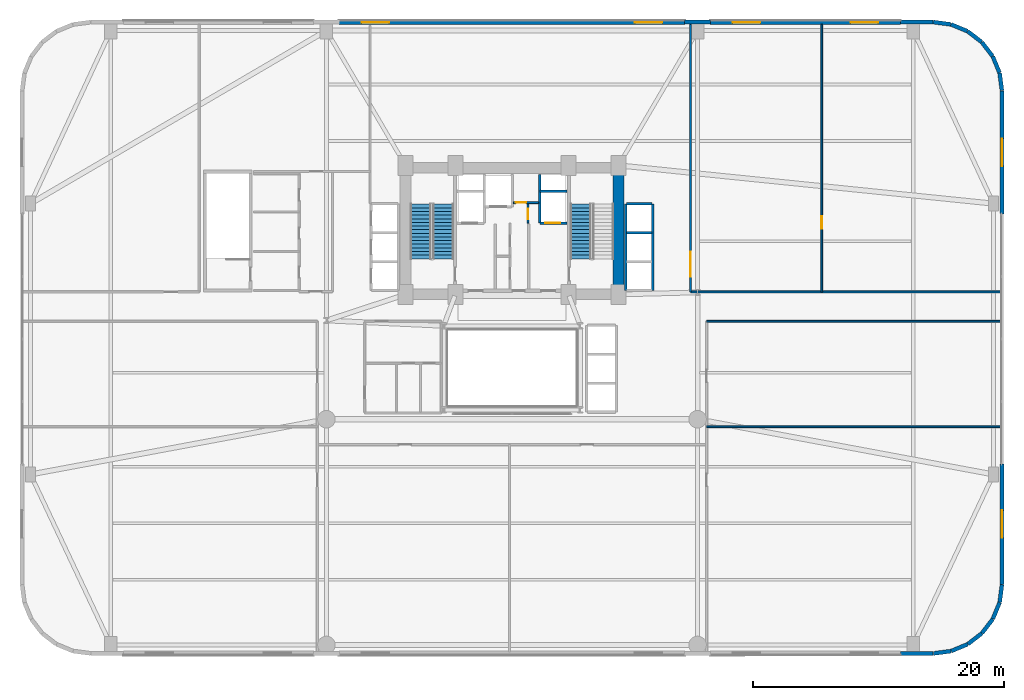
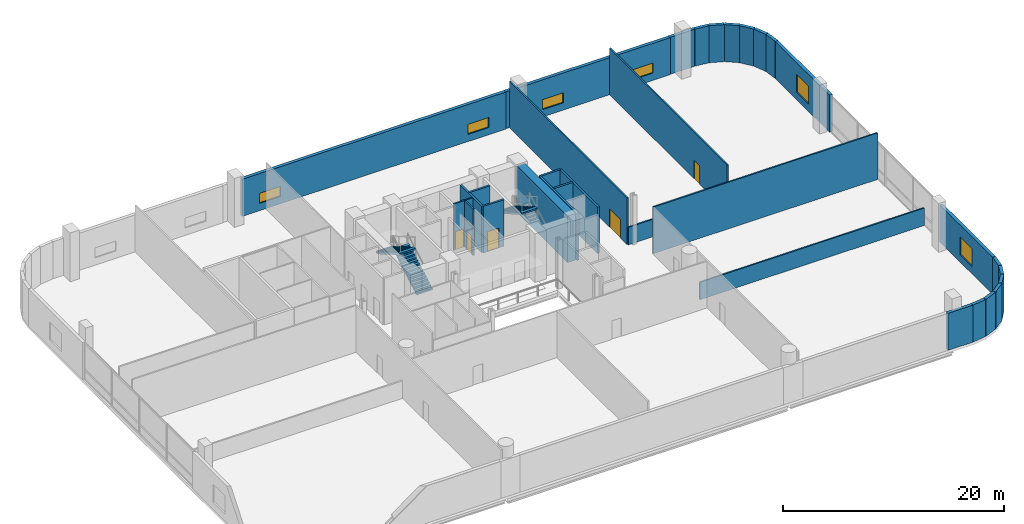
# One storey, part 25 of 31: 34 walls, 6 windows, 5 doors, 3 stair flights, 11 openings, 2 elements without a shape of their own.
"""IFC4 building model written with IfcOpenShell, lengths in metres."""

from ifc_helpers import new_model, si_unit, direction, frame, frame_2d, origin, place, context, subcontext, project, spatial, polyline, rectangle, outline, extrude, material, layer, layer_set, type_object, element, fill, aggregate, save


model = new_model("IFC4")

# Units and contexts
model_context = context("Model", 3, precision=1e-05, world=origin(), true_north=direction((0.0, 1.0)))
body_context = subcontext(model_context, "Body", "Model", "MODEL_VIEW")
ifc_project = project(units=[si_unit("LENGTHUNIT", "METRE"), si_unit("AREAUNIT", "SQUARE_METRE"), si_unit("VOLUMEUNIT", "CUBIC_METRE"), si_unit("PLANEANGLEUNIT", "RADIAN"), si_unit("MASSUNIT", "GRAM", prefix="KILO")], contexts=[model_context])

# Site, building, storey
site_placement = place(None, origin())
site = spatial("IfcSite", under=ifc_project, at=site_placement, CompositionType="ELEMENT")
building_placement = place(site_placement, origin())
building = spatial("IfcBuilding", under=site, at=building_placement, Name="Varnelok Gate Tower", CompositionType="ELEMENT")
storey_placement = place(building_placement, frame((0.0, 0.0, 21.60009765625)))
storey = spatial("IfcBuildingStorey", under=building, at=storey_placement, Name="L04", CompositionType="ELEMENT", Elevation=21.60009765625)

# Wall, openings, windows
ifc_material_1 = material(Name="Concrete C45/55", Category="concrete")
ifc_layer_1 = layer(ifc_material_1, 0.320068359375)
ifc_layer_set_1 = layer_set([ifc_layer_1], Name="Concrete C45/55")
wall_type_1 = type_object("IfcWallType", Name="EW-POD-320", PredefinedType="SOLIDWALL", material=ifc_layer_set_1)
wall_1_placement = place(storey_placement, frame((25.39990234375, 50.43994140625, 0.0), z_axis=(0.0, 0.0, 1.0), x_axis=(1.0, 0.0, 0.0)))
wall_1 = element("IfcWall", 1, at=wall_1_placement, inside=storey, type_object=wall_type_1, Name="L04 North Podium Wall 2", PredefinedType="SOLIDWALL", context=body_context, shape_type="SweptSolid", body=[
    extrude(rectangle(XDim=27.60009765625, YDim=0.320068359375, at=frame_2d((13.800048828125, 0.0))), origin(), (0.0, 0.0, 1.0), 4.099853515625),
])
opening_1_placement = place(wall_1_placement, frame((1.800048828125, 0.0, 0.800048828125)))
opening_1 = element("IfcOpeningElement", 2, at=opening_1_placement, cuts=wall_1, Name="Opening WN2B", PredefinedType="OPENING", context=body_context, shape_type="SweptSolid", body=[
    extrude(rectangle(XDim=2.199951171875, YDim=1.110107421875, at=frame_2d((1.10009765625, 0.55517578125))), frame((0.0, 0.169921875, 0.0), z_axis=(0.0, -1.0, 0.0), x_axis=(1.0, 0.0, 0.0)), (0.0, 0.0, 1.0), 0.340087890625),
])
opening_2_placement = place(wall_1_placement, frame((23.60009765625, 0.0, 0.800048828125)))
opening_2 = element("IfcOpeningElement", 3, at=opening_2_placement, cuts=wall_1, Name="Opening WN2B", PredefinedType="OPENING", context=body_context, shape_type="SweptSolid", body=[
    extrude(rectangle(XDim=2.199951171875, YDim=1.110107421875, at=frame_2d((1.10009765625, 0.55517578125))), frame((0.0, 0.169921875, 0.0), z_axis=(0.0, -1.0, 0.0), x_axis=(1.0, 0.0, 0.0)), (0.0, 0.0, 1.0), 0.340087890625),
])
ifc_material_2 = material(Name="Low-E Laminated Double Glazing IGU", Category="glass")
window_type_1 = type_object("IfcWindowType", Name="WN-POD-2200X1110", PartitioningType="SINGLE_PANEL", PredefinedType="WINDOW", material=ifc_material_2)
window_1_placement = place(opening_1_placement, origin())
window_1 = element("IfcWindow", 4, at=window_1_placement, inside=storey, type_object=window_type_1, Name="L04 Podium Window N2.1", OverallHeight=1.110107421875, OverallWidth=2.199951171875, PartitioningType="SINGLE_PANEL", PredefinedType="WINDOW", context=body_context, shape_type="SweptSolid", body=[
    extrude(rectangle(XDim=2.199951171875, YDim=1.110107421875, at=frame_2d((1.10009765625, 0.55517578125))), frame((0.0, 0.030029296875, 0.0), z_axis=(0.0, -1.0, 0.0), x_axis=(1.0, 0.0, 0.0)), (0.0, 0.0, 1.0), 0.06005859375),
])
fill(opening_1, window_1)
window_2_placement = place(opening_2_placement, origin())
window_2 = element("IfcWindow", 5, at=window_2_placement, inside=storey, type_object=window_type_1, Name="L04 Podium Window N2.2", OverallHeight=1.110107421875, OverallWidth=2.199951171875, PartitioningType="SINGLE_PANEL", PredefinedType="WINDOW", context=body_context, shape_type="SweptSolid", body=[
    extrude(rectangle(XDim=2.199951171875, YDim=1.110107421875, at=frame_2d((1.10009765625, 0.55517578125))), frame((0.0, 0.030029296875, 0.0), z_axis=(0.0, -1.0, 0.0), x_axis=(1.0, 0.0, 0.0)), (0.0, 0.0, 1.0), 0.06005859375),
])
fill(opening_2, window_2)

wall_2_placement = place(storey_placement, frame((55.0, 50.43994140625, 0.0), z_axis=(0.0, 0.0, 1.0), x_axis=(1.0, 0.0, 0.0)))
wall_2 = element("IfcWall", 6, at=wall_2_placement, inside=storey, type_object=wall_type_1, Name="L04 North Podium Wall 3", PredefinedType="SOLIDWALL", context=body_context, shape_type="SweptSolid", body=[
    extrude(rectangle(XDim=15.199951171875, YDim=0.320068359375, at=frame_2d((7.60009765625, 0.0))), origin(), (0.0, 0.0, 1.0), 4.099853515625),
])
opening_3_placement = place(wall_2_placement, frame((1.800048828125, 0.0, 0.800048828125)))
opening_3 = element("IfcOpeningElement", 7, at=opening_3_placement, cuts=wall_2, Name="Opening WN2B", PredefinedType="OPENING", context=body_context, shape_type="SweptSolid", body=[
    extrude(rectangle(XDim=2.199951171875, YDim=1.110107421875, at=frame_2d((1.10009765625, 0.55517578125))), frame((0.0, 0.169921875, 0.0), z_axis=(0.0, -1.0, 0.0), x_axis=(1.0, 0.0, 0.0)), (0.0, 0.0, 1.0), 0.340087890625),
])
opening_4_placement = place(wall_2_placement, frame((11.199951171875, 0.0, 0.800048828125)))
opening_4 = element("IfcOpeningElement", 8, at=opening_4_placement, cuts=wall_2, Name="Opening WN2B", PredefinedType="OPENING", context=body_context, shape_type="SweptSolid", body=[
    extrude(rectangle(XDim=2.199951171875, YDim=1.110107421875, at=frame_2d((1.10009765625, 0.55517578125))), frame((0.0, 0.169921875, 0.0), z_axis=(0.0, -1.0, 0.0), x_axis=(1.0, 0.0, 0.0)), (0.0, 0.0, 1.0), 0.340087890625),
])
window_3_placement = place(opening_3_placement, origin())
window_3 = element("IfcWindow", 9, at=window_3_placement, inside=storey, type_object=window_type_1, Name="L04 Podium Window N3.1", OverallHeight=1.110107421875, OverallWidth=2.199951171875, PartitioningType="SINGLE_PANEL", PredefinedType="WINDOW", context=body_context, shape_type="SweptSolid", body=[
    extrude(rectangle(XDim=2.199951171875, YDim=1.110107421875, at=frame_2d((1.10009765625, 0.55517578125))), frame((0.0, 0.030029296875, 0.0), z_axis=(0.0, -1.0, 0.0), x_axis=(1.0, 0.0, 0.0)), (0.0, 0.0, 1.0), 0.06005859375),
])
fill(opening_3, window_3)
window_4_placement = place(opening_4_placement, origin())
window_4 = element("IfcWindow", 10, at=window_4_placement, inside=storey, type_object=window_type_1, Name="L04 Podium Window N3.2", OverallHeight=1.110107421875, OverallWidth=2.199951171875, PartitioningType="SINGLE_PANEL", PredefinedType="WINDOW", context=body_context, shape_type="SweptSolid", body=[
    extrude(rectangle(XDim=2.199951171875, YDim=1.110107421875, at=frame_2d((1.10009765625, 0.55517578125))), frame((0.0, 0.030029296875, 0.0), z_axis=(0.0, -1.0, 0.0), x_axis=(1.0, 0.0, 0.0)), (0.0, 0.0, 1.0), 0.06005859375),
])
fill(opening_4, window_4)

# Walls
wall_3_placement = place(storey_placement, frame((70.169921875, 0.1201171875, 0.0), z_axis=(0.0, 0.0, 1.0), x_axis=(1.0, 0.0, 0.0)))
element("IfcWall", 11, at=wall_3_placement, inside=storey, type_object=wall_type_1, Name="L04 Perimeter Facade Closure Wall 10", PredefinedType="SOLIDWALL", context=body_context, shape_type="SweptSolid", body=[
    extrude(rectangle(XDim=2.6220703125, YDim=0.320068359375, at=frame_2d((1.31103515625, 0.0))), origin(), (0.0, 0.0, 1.0), 4.099853515625),
])
wall_4_placement = place(storey_placement, frame((72.81689453125, 0.123291015625, 0.0), z_axis=(0.0, 0.0, 1.0), x_axis=(0.991457235349, 0.130432168094, 0.0)))
element("IfcWall", 12, at=wall_4_placement, inside=storey, type_object=wall_type_1, Name="L04 Perimeter Facade Closure Wall 11", PredefinedType="SOLIDWALL", context=body_context, shape_type="SweptSolid", body=[
    extrude(rectangle(XDim=1.4130859375, YDim=0.320068359375, at=frame_2d((0.70654296875, 0.0))), origin(), (0.0, 0.0, 1.0), 4.099853515625),
])
for number, where, z_axis, x_axis, name in (
    (13, (74.2412109375, 0.3173828125, 0.0), (0.0, 0.0, 1.0), (0.923927911071, 0.382566615302, 0.0), "L04 Perimeter Facade Closure Wall 12"),
    (14, (75.559326171875, 0.870361328125, 0.0), (0.0, 0.0, 1.0), (0.79338541907, 0.60871962085, 0.0), "L04 Perimeter Facade Closure Wall 13"),
    (15, (76.689453125, 1.74560546875, 0.0), (0.0, 0.0, 1.0), (0.60871962085, 0.79338541907, 0.0), "L04 Perimeter Facade Closure Wall 14"),
    (16, (77.554443359375, 2.883544921875, 0.0), (0.0, 0.0, 1.0), (0.382714908977, 0.923866493844, 0.0), "L04 Perimeter Facade Closure Wall 15"),
):
    element("IfcWall", number, at=place(storey_placement, frame(where, z_axis=z_axis, x_axis=x_axis)), inside=storey, type_object=wall_type_1, Name=name, PredefinedType="SOLIDWALL", context=body_context, shape_type="SweptSolid", body=[
        extrude(rectangle(XDim=1.4052734375, YDim=0.320068359375, at=frame_2d((0.70263671875, 0.0))), origin(), (0.0, 0.0, 1.0), 4.099853515625),
    ])
wall_5_placement = place(storey_placement, frame((78.095703125, 4.206787109375, 0.0), z_axis=(0.0, 0.0, 1.0), x_axis=(0.130432168094, 0.991457235349, 0.0)))
element("IfcWall", 17, at=wall_5_placement, inside=storey, type_object=wall_type_1, Name="L04 Perimeter Facade Closure Wall 16", PredefinedType="SOLIDWALL", context=body_context, shape_type="SweptSolid", body=[
    extrude(rectangle(XDim=1.4130859375, YDim=0.320068359375, at=frame_2d((0.70654296875, 0.0))), origin(), (0.0, 0.0, 1.0), 4.099853515625),
])

# Wall, opening, window
wall_6_placement = place(storey_placement, frame((78.280029296875, 5.6328125, 0.0), z_axis=(0.0, 0.0, 1.0), x_axis=(0.0, 1.0, 0.0)))
wall_6 = element("IfcWall", 18, at=wall_6_placement, inside=storey, type_object=wall_type_1, Name="L04 Perimeter Facade Closure Wall 17", PredefinedType="SOLIDWALL", context=body_context, shape_type="SweptSolid", body=[
    extrude(rectangle(XDim=9.59716796875, YDim=0.320068359375, at=frame_2d((4.798583984375, 0.0))), origin(), (0.0, 0.0, 1.0), 4.099853515625),
])
opening_5_placement = place(wall_6_placement, frame((3.698486328125, 0.0, 0.800048828125)))
opening_5 = element("IfcOpeningElement", 19, at=opening_5_placement, cuts=wall_6, Name="Opening WN2A", PredefinedType="OPENING", context=body_context, shape_type="SweptSolid", body=[
    extrude(rectangle(XDim=2.199951171875, YDim=2.0, at=frame_2d((1.10009765625, 1.0))), frame((0.0, 0.169921875, 0.0), z_axis=(0.0, -1.0, 0.0), x_axis=(1.0, 0.0, 0.0)), (0.0, 0.0, 1.0), 0.340087890625),
])
window_type_2 = type_object("IfcWindowType", Name="WN-POD-2200X2000", PartitioningType="SINGLE_PANEL", PredefinedType="WINDOW", material=ifc_material_2)
window_5_placement = place(opening_5_placement, origin())
window_5 = element("IfcWindow", 20, at=window_5_placement, inside=storey, type_object=window_type_2, Name="L04 Perimeter Vision Window 17", OverallHeight=2.0, OverallWidth=2.199951171875, PartitioningType="SINGLE_PANEL", PredefinedType="WINDOW", context=body_context, shape_type="SweptSolid", body=[
    extrude(rectangle(XDim=2.199951171875, YDim=2.0, at=frame_2d((1.10009765625, 1.0))), frame((0.0, 0.030029296875, 0.0), z_axis=(0.0, -1.0, 0.0), x_axis=(1.0, 0.0, 0.0)), (0.0, 0.0, 1.0), 0.06005859375),
])
fill(opening_5, window_5)

wall_7_placement = place(storey_placement, frame((78.280029296875, 35.169921875, 0.0), z_axis=(0.0, 0.0, 1.0), x_axis=(0.0, 1.0, 0.0)))
wall_7 = element("IfcWall", 21, at=wall_7_placement, inside=storey, type_object=wall_type_1, Name="L04 Perimeter Facade Closure Wall 18", PredefinedType="SOLIDWALL", context=body_context, shape_type="SweptSolid", body=[
    extrude(rectangle(XDim=9.822265625, YDim=0.320068359375, at=frame_2d((4.9111328125, 0.0))), origin(), (0.0, 0.0, 1.0), 4.099853515625),
])
opening_6_placement = place(wall_7_placement, frame((3.81103515625, 0.0, 0.800048828125)))
opening_6 = element("IfcOpeningElement", 22, at=opening_6_placement, cuts=wall_7, Name="Opening WN2A", PredefinedType="OPENING", context=body_context, shape_type="SweptSolid", body=[
    extrude(rectangle(XDim=2.199951171875, YDim=2.0, at=frame_2d((1.10009765625, 1.0))), frame((0.0, 0.169921875, 0.0), z_axis=(0.0, -1.0, 0.0), x_axis=(1.0, 0.0, 0.0)), (0.0, 0.0, 1.0), 0.340087890625),
])
window_6_placement = place(opening_6_placement, origin())
window_6 = element("IfcWindow", 23, at=window_6_placement, inside=storey, type_object=window_type_2, Name="L04 Perimeter Vision Window 18", OverallHeight=2.0, OverallWidth=2.199951171875, PartitioningType="SINGLE_PANEL", PredefinedType="WINDOW", context=body_context, shape_type="SweptSolid", body=[
    extrude(rectangle(XDim=2.199951171875, YDim=2.0, at=frame_2d((1.10009765625, 1.0))), frame((0.0, 0.030029296875, 0.0), z_axis=(0.0, -1.0, 0.0), x_axis=(1.0, 0.0, 0.0)), (0.0, 0.0, 1.0), 0.06005859375),
])
fill(opening_6, window_6)

# Walls
wall_8_placement = place(storey_placement, frame((78.276611328125, 45.016845703125, 0.0), z_axis=(0.0, 0.0, 1.0), x_axis=(-0.130409831203, 0.991460173646, 0.0)))
element("IfcWall", 24, at=wall_8_placement, inside=storey, type_object=wall_type_1, Name="L04 Perimeter Facade Closure Wall 19", PredefinedType="SOLIDWALL", context=body_context, shape_type="SweptSolid", body=[
    extrude(rectangle(XDim=1.413330078125, YDim=0.320068359375, at=frame_2d((0.70654296875, 0.0))), origin(), (0.0, 0.0, 1.0), 4.099853515625),
])
for number, where, z_axis, x_axis, name in (
    (25, (78.082763671875, 46.441162109375, 0.0), (0.0, 0.0, 1.0), (-0.382714908977, 0.923866493844, 0.0), "L04 Perimeter Facade Closure Wall 20"),
    (26, (77.52978515625, 47.75927734375, 0.0), (0.0, 0.0, 1.0), (-0.60871962085, 0.79338541907, 0.0), "L04 Perimeter Facade Closure Wall 21"),
    (27, (76.654296875, 48.889404296875, 0.0), (0.0, 0.0, 1.0), (-0.793321035123, 0.608803527611, 0.0), "L04 Perimeter Facade Closure Wall 22"),
    (28, (75.516357421875, 49.75439453125, 0.0), (0.0, 0.0, 1.0), (-0.923866493844, 0.382714908977, 0.0), "L04 Perimeter Facade Closure Wall 23"),
):
    element("IfcWall", number, at=place(storey_placement, frame(where, z_axis=z_axis, x_axis=x_axis)), inside=storey, type_object=wall_type_1, Name=name, PredefinedType="SOLIDWALL", context=body_context, shape_type="SweptSolid", body=[
        extrude(rectangle(XDim=1.4052734375, YDim=0.320068359375, at=frame_2d((0.70263671875, 0.0))), origin(), (0.0, 0.0, 1.0), 4.099853515625),
    ])
wall_9_placement = place(storey_placement, frame((74.193359375, 50.295654296875, 0.0), z_axis=(0.0, 0.0, 1.0), x_axis=(-0.991460173646, 0.130409831203, 0.0)))
element("IfcWall", 29, at=wall_9_placement, inside=storey, type_object=wall_type_1, Name="L04 Perimeter Facade Closure Wall 24", PredefinedType="SOLIDWALL", context=body_context, shape_type="SweptSolid", body=[
    extrude(rectangle(XDim=1.413330078125, YDim=0.320068359375, at=frame_2d((0.70654296875, 0.0))), origin(), (0.0, 0.0, 1.0), 4.099853515625),
])
wall_10_placement = place(storey_placement, frame((72.76708984375, 50.47998046875, 0.0), z_axis=(0.0, 0.0, 1.0), x_axis=(-1.0, 0.0, 0.0)))
element("IfcWall", 30, at=wall_10_placement, inside=storey, type_object=wall_type_1, Name="L04 Perimeter Facade Closure Wall 25", PredefinedType="SOLIDWALL", context=body_context, shape_type="SweptSolid", body=[
    extrude(rectangle(XDim=2.59716796875, YDim=0.320068359375, at=frame_2d((1.298583984375, 0.0))), origin(), (0.0, 0.0, 1.0), 4.099853515625),
])
wall_11_placement = place(storey_placement, frame((55.030029296875, 50.47998046875, 0.0), z_axis=(0.0, 0.0, 1.0), x_axis=(-1.0, 0.0, 0.0)))
element("IfcWall", 31, at=wall_11_placement, inside=storey, type_object=wall_type_1, Name="L04 Perimeter Facade Closure Wall 26", PredefinedType="SOLIDWALL", context=body_context, shape_type="SweptSolid", body=[
    extrude(rectangle(XDim=2.06005859375, YDim=0.320068359375, at=frame_2d((1.030029296875, 0.0))), origin(), (0.0, 0.0, 1.0), 4.099853515625),
])
ifc_material_3 = material(Name="Gypsum Plasterboard Acoustic Partition", Category="gypsum")
ifc_layer_2 = layer(ifc_material_3, 0.14990234375)
ifc_layer_set_2 = layer_set([ifc_layer_2], Name="Gypsum Plasterboard Acoustic Partition")
wall_type_2 = type_object("IfcWallType", Name="PW-PART-150", PredefinedType="PARTITIONING", material=ifc_layer_set_2)
wall_12_placement = place(storey_placement, frame((54.719970703125, 18.199951171875, 0.0), z_axis=(0.0, 0.0, 1.0), x_axis=(1.0, 0.0, 0.0)))
element("IfcWall", 32, at=wall_12_placement, inside=storey, type_object=wall_type_2, Name="Interior Partition", PredefinedType="PARTITIONING", context=body_context, shape_type="SweptSolid", body=[
    extrude(rectangle(XDim=23.47998046875, YDim=0.14990234375, at=frame_2d((11.739990234375, 0.0))), origin(), (0.0, 0.0, 1.0), 1.934814453125),
])

# Wall, opening, door
wall_13_placement = place(storey_placement, frame((63.89990234375, 28.9599609375, 0.0), z_axis=(0.0, 0.0, 1.0), x_axis=(0.0, 1.0, 0.0)))
wall_13 = element("IfcWall", 33, at=wall_13_placement, inside=storey, type_object=wall_type_2, Name="Interior Partition", PredefinedType="PARTITIONING", context=body_context, shape_type="SweptSolid", body=[
    extrude(rectangle(XDim=21.340087890625, YDim=0.14990234375, at=frame_2d((10.669921875, 0.0))), origin(), (0.0, 0.0, 1.0), 5.14990234375),
])
opening_7_placement = place(wall_13_placement, frame((5.0400390625, 0.0, 0.0)))
opening_7 = element("IfcOpeningElement", 34, at=opening_7_placement, cuts=wall_13, Name="Opening D-I1", PredefinedType="OPENING", context=body_context, shape_type="SweptSolid", body=[
    extrude(rectangle(XDim=1.0, YDim=2.050048828125, at=frame_2d((0.5, 1.02490234375))), frame((0.0, 0.0849609375, 0.0), z_axis=(0.0, -1.0, 0.0), x_axis=(1.0, 0.0, 0.0)), (0.0, 0.0, 1.0), 0.169921875),
])
ifc_material_4 = material(Name="Engineered Hardwood Timber", Category="wood")
door_type_1 = type_object("IfcDoorType", Name="DR-INT-1000", OperationType="NOTDEFINED", PredefinedType="DOOR", material=ifc_material_4)
door_1_placement = place(opening_7_placement, origin())
door_1 = element("IfcDoor", 35, at=door_1_placement, inside=storey, type_object=door_type_1, Name="L04 Playroom Door", OperationType="SINGLE_SWING_LEFT", OverallHeight=2.050048828125, OverallWidth=1.0, PredefinedType="DOOR", context=body_context, shape_type="SweptSolid", body=[
    extrude(rectangle(XDim=1.0, YDim=2.050048828125, at=frame_2d((0.5, 1.02490234375))), frame((0.0, 0.02490234375, 0.0), z_axis=(0.0, -1.0, 0.0), x_axis=(1.0, 0.0, 0.0)), (0.0, 0.0, 1.0), 0.050048828125),
])
fill(opening_7, door_1)

# Wall
wall_14_placement = place(storey_placement, frame((54.719970703125, 26.6201171875, 0.0), z_axis=(0.0, 0.0, 1.0), x_axis=(1.0, 0.0, 0.0)))
element("IfcWall", 36, at=wall_14_placement, inside=storey, type_object=wall_type_2, Name="Interior Partition", PredefinedType="PARTITIONING", context=body_context, shape_type="SweptSolid", body=[
    extrude(rectangle(XDim=23.47998046875, YDim=0.14990234375, at=frame_2d((11.739990234375, 0.0))), origin(), (0.0, 0.0, 1.0), 5.14990234375),
])

# Wall, opening, door
wall_15_placement = place(storey_placement, frame((53.43994140625, 28.9599609375, 0.0), z_axis=(0.0, 0.0, 1.0), x_axis=(0.0, 1.0, 0.0)))
wall_15 = element("IfcWall", 37, at=wall_15_placement, inside=storey, type_object=wall_type_2, Name="Interior Partition", PredefinedType="PARTITIONING", context=body_context, shape_type="SweptSolid", body=[
    extrude(rectangle(XDim=21.340087890625, YDim=0.14990234375, at=frame_2d((10.669921875, 0.0))), origin(), (0.0, 0.0, 1.0), 5.14990234375),
])
opening_8_placement = place(wall_15_placement, frame((1.199951171875, 0.0, 0.0)))
opening_8 = element("IfcOpeningElement", 38, at=opening_8_placement, cuts=wall_15, Name="Opening D-BL", PredefinedType="OPENING", context=body_context, shape_type="SweptSolid", body=[
    extrude(rectangle(XDim=2.0, YDim=2.050048828125, at=frame_2d((1.0, 1.02490234375))), frame((0.0, 0.0849609375, 0.0), z_axis=(0.0, -1.0, 0.0), x_axis=(1.0, 0.0, 0.0)), (0.0, 0.0, 1.0), 0.169921875),
])
door_type_2 = type_object("IfcDoorType", Name="DR-BALL-2000", OperationType="DOUBLE_DOOR_SINGLE_SWING", PredefinedType="DOOR", material=ifc_material_4)
door_2_placement = place(opening_8_placement, origin())
door_2 = element("IfcDoor", 39, at=door_2_placement, inside=storey, type_object=door_type_2, Name="L04 Fitness Studio Door", OperationType="DOUBLE_DOOR_SINGLE_SWING", OverallHeight=2.050048828125, OverallWidth=2.0, PredefinedType="DOOR", context=body_context, shape_type="SweptSolid", body=[
    extrude(rectangle(XDim=2.0, YDim=2.050048828125, at=frame_2d((1.0, 1.02490234375))), frame((0.0, 0.02490234375, 0.0), z_axis=(0.0, -1.0, 0.0), x_axis=(1.0, 0.0, 0.0)), (0.0, 0.0, 1.0), 0.050048828125),
])
fill(opening_8, door_2)

# Wall
wall_16_placement = place(storey_placement, frame((53.43994140625, 28.9599609375, 0.0), z_axis=(0.0, 0.0, 1.0), x_axis=(1.0, 0.0, 0.0)))
element("IfcWall", 40, at=wall_16_placement, inside=storey, type_object=wall_type_2, Name="Interior Partition", PredefinedType="PARTITIONING", context=body_context, shape_type="SweptSolid", body=[
    extrude(rectangle(XDim=24.760009765625, YDim=0.14990234375, at=frame_2d((12.3798828125, 0.0))), origin(), (0.0, 0.0, 1.0), 1.934814453125),
])

# Wall, opening, door
wall_17_placement = place(storey_placement, frame((39.300048828125, 36.080078125, 0.0), z_axis=(0.0, 0.0, 1.0), x_axis=(1.0, 0.0, 0.0)))
wall_17 = element("IfcWall", 41, at=wall_17_placement, inside=storey, type_object=wall_type_2, Name="L04 Electrical Closet South Wall", PredefinedType="PARTITIONING", context=body_context, shape_type="SweptSolid", body=[
    extrude(rectangle(XDim=2.02001953125, YDim=0.14990234375, at=frame_2d((1.010009765625, 0.0))), origin(), (0.0, 0.0, 1.0), 5.14990234375),
])
opening_9_placement = place(wall_17_placement, frame((0.179931640625, 0.0, 0.0)))
opening_9 = element("IfcOpeningElement", 42, at=opening_9_placement, cuts=wall_17, Name="Opening D-RS", PredefinedType="OPENING", context=body_context, shape_type="SweptSolid", body=[
    extrude(rectangle(XDim=0.85009765625, YDim=2.050048828125, at=frame_2d((0.425048828125, 1.02490234375))), frame((0.0, 0.0849609375, 0.0), z_axis=(0.0, -1.0, 0.0), x_axis=(1.0, 0.0, 0.0)), (0.0, 0.0, 1.0), 0.169921875),
])
ifc_material_5 = material(Name="Galvanized Steel Grade S350GD", Category="steel")
door_type_3 = type_object("IfcDoorType", Name="DR-RISER-850", OperationType="NOTDEFINED", PredefinedType="DOOR", material=ifc_material_5)
door_3_placement = place(opening_9_placement, origin())
door_3 = element("IfcDoor", 43, at=door_3_placement, inside=storey, type_object=door_type_3, Name="L04 Electrical Closet Door", OperationType="SINGLE_SWING_RIGHT", OverallHeight=2.050048828125, OverallWidth=0.85009765625, PredefinedType="DOOR", context=body_context, shape_type="SweptSolid", body=[
    extrude(rectangle(XDim=0.85009765625, YDim=2.050048828125, at=frame_2d((0.425048828125, 1.02490234375))), frame((0.0, 0.02490234375, 0.0), z_axis=(0.0, -1.0, 0.0), x_axis=(1.0, 0.0, 0.0)), (0.0, 0.0, 1.0), 0.050048828125),
])
fill(opening_9, door_3)

wall_18_placement = place(storey_placement, frame((40.47998046875, 34.43994140625, 0.0), z_axis=(0.0, 0.0, 1.0), x_axis=(0.0, 1.0, 0.0)))
wall_18 = element("IfcWall", 44, at=wall_18_placement, inside=storey, type_object=wall_type_2, Name="L04 Telecoms Closet West Wall", PredefinedType="PARTITIONING", context=body_context, shape_type="SweptSolid", body=[
    extrude(rectangle(XDim=1.52001953125, YDim=0.14990234375, at=frame_2d((0.760009765625, 0.0))), origin(), (0.0, 0.0, 1.0), 5.14990234375),
])
opening_10_placement = place(wall_18_placement, frame((0.320068359375, 0.0, 0.0)))
opening_10 = element("IfcOpeningElement", 45, at=opening_10_placement, cuts=wall_18, Name="Opening D-RS", PredefinedType="OPENING", context=body_context, shape_type="SweptSolid", body=[
    extrude(rectangle(XDim=0.85009765625, YDim=2.050048828125, at=frame_2d((0.425048828125, 1.02490234375))), frame((0.0, 0.0849609375, 0.0), z_axis=(0.0, -1.0, 0.0), x_axis=(1.0, 0.0, 0.0)), (0.0, 0.0, 1.0), 0.169921875),
])
door_4_placement = place(opening_10_placement, origin())
door_4 = element("IfcDoor", 46, at=door_4_placement, inside=storey, type_object=door_type_3, Name="L04 Telecoms Closet Door", OperationType="SINGLE_SWING_LEFT", OverallHeight=2.050048828125, OverallWidth=0.85009765625, PredefinedType="DOOR", context=body_context, shape_type="SweptSolid", body=[
    extrude(rectangle(XDim=0.85009765625, YDim=2.050048828125, at=frame_2d((0.425048828125, 1.02490234375))), frame((0.0, 0.02490234375, 0.0), z_axis=(0.0, -1.0, 0.0), x_axis=(1.0, 0.0, 0.0)), (0.0, 0.0, 1.0), 0.050048828125),
])
fill(opening_10, door_4)

ifc_material_6 = material(Name="Concrete C35/45", Category="concrete")
ifc_layer_3 = layer(ifc_material_6, 0.199951171875)
ifc_layer_set_3 = layer_set([ifc_layer_3], Name="Concrete C35/45")
wall_type_3 = type_object("IfcWallType", Name="PW-SHAFT-200", PredefinedType="PARTITIONING", material=ifc_layer_set_3)
wall_19_placement = place(storey_placement, frame((41.419921875, 34.43994140625, 0.0), z_axis=(0.0, 0.0, 1.0), x_axis=(1.0, 0.0, 0.0)))
wall_19 = element("IfcWall", 47, at=wall_19_placement, inside=storey, type_object=wall_type_3, Name="L04 FF2 Shaft Front Wall", PredefinedType="PARTITIONING", context=body_context, shape_type="SweptSolid", body=[
    extrude(rectangle(XDim=2.18017578125, YDim=0.199951171875, at=frame_2d((1.090087890625, 0.0))), origin(), (0.0, 0.0, 1.0), 5.14990234375),
])
opening_11_placement = place(wall_19_placement, frame((0.419921875, 0.0, 0.0)))
opening_11 = element("IfcOpeningElement", 48, at=opening_11_placement, cuts=wall_19, Name="Opening LD-FF2", PredefinedType="OPENING", context=body_context, shape_type="SweptSolid", body=[
    extrude(rectangle(XDim=1.199951171875, YDim=2.199951171875, at=frame_2d((0.60009765625, 1.10009765625))), frame((0.0, 0.10986328125, 0.0), z_axis=(0.0, -1.0, 0.0), x_axis=(1.0, 0.0, 0.0)), (0.0, 0.0, 1.0), 0.219970703125),
])
door_type_4 = type_object("IfcDoorType", Name="DR-LIFT-FF1200", OperationType="SLIDING_TO_LEFT", PredefinedType="DOOR", material=ifc_material_5)
door_5_placement = place(opening_11_placement, origin())
door_5 = element("IfcDoor", 49, at=door_5_placement, inside=storey, type_object=door_type_4, Name="L04 Firefighting Lift Landing Door LD-FF2", OperationType="SLIDING_TO_LEFT", OverallHeight=2.199951171875, OverallWidth=1.199951171875, PredefinedType="DOOR", context=body_context, shape_type="SweptSolid", body=[
    extrude(rectangle(XDim=1.199951171875, YDim=2.199951171875, at=frame_2d((0.60009765625, 1.10009765625))), frame((0.0, 0.02490234375, 0.0), z_axis=(0.0, -1.0, 0.0), x_axis=(1.0, 0.0, 0.0)), (0.0, 0.0, 1.0), 0.050048828125),
])
fill(opening_11, door_5)

# Walls
wall_20_placement = place(storey_placement, frame((41.419921875, 36.97998046875, 0.0), z_axis=(0.0, 0.0, 1.0), x_axis=(1.0, 0.0, 0.0)))
element("IfcWall", 50, at=wall_20_placement, inside=storey, type_object=wall_type_3, Name="L04 FF2 Shaft North Wall", PredefinedType="PARTITIONING", context=body_context, shape_type="SweptSolid", body=[
    extrude(rectangle(XDim=2.18017578125, YDim=0.199951171875, at=frame_2d((1.090087890625, 0.0))), origin(), (0.0, 0.0, 1.0), 5.14990234375),
])
wall_21_placement = place(storey_placement, frame((41.39990234375, 34.43994140625, 0.0), z_axis=(0.0, 0.0, 1.0), x_axis=(0.0, 1.0, 0.0)))
element("IfcWall", 51, at=wall_21_placement, inside=storey, type_object=wall_type_3, Name="L04 FF2 Shaft Side Wall", PredefinedType="PARTITIONING", context=body_context, shape_type="SweptSolid", body=[
    extrude(rectangle(XDim=3.900146484375, YDim=0.199951171875, at=frame_2d((1.9501953125, 0.0))), origin(), (0.0, 0.0, 1.0), 5.14990234375),
])
for number, where, z_axis, x_axis, name in (
    (52, (48.320068359375, 33.675048828125, 0.0), (0.0, 0.0, 1.0), (1.0, 0.0, 0.0), "L04 PM2 Divider"),
    (53, (48.320068359375, 35.969970703125, 0.0), (0.0, 0.0, 1.0), (1.0, 0.0, 0.0), "L04 PM Bank North Wall"),
):
    element("IfcWall", number, at=place(storey_placement, frame(where, z_axis=z_axis, x_axis=x_axis)), inside=storey, type_object=wall_type_3, Name=name, PredefinedType="PARTITIONING", context=body_context, shape_type="SweptSolid", body=[
        extrude(rectangle(XDim=2.059814453125, YDim=0.199951171875, at=frame_2d((1.02978515625, 0.0))), origin(), (0.0, 0.0, 1.0), 5.14990234375),
    ])
for number, where, z_axis, x_axis, name in (
    (54, (48.280029296875, 29.080078125, 0.0), (0.0, 0.0, 1.0), (0.0, 1.0, 0.0), "L04 PM Bank Back Wall"),
    (55, (50.43994140625, 29.080078125, 0.0), (0.0, 0.0, 1.0), (0.0, 1.0, 0.0), "L04 PM Bank Front Wall"),
):
    element("IfcWall", number, at=place(storey_placement, frame(where, z_axis=z_axis, x_axis=x_axis)), inside=storey, type_object=wall_type_3, Name=name, PredefinedType="PARTITIONING", context=body_context, shape_type="SweptSolid", body=[
        extrude(rectangle(XDim=6.889892578125, YDim=0.199951171875, at=frame_2d((3.44482421875, 0.0))), origin(), (0.0, 0.0, 1.0), 5.14990234375),
    ])
ifc_material_7 = material(Name="Concrete C70/85", Category="concrete")
ifc_layer_4 = layer(ifc_material_7, 0.85009765625)
ifc_layer_set_4 = layer_set([ifc_layer_4], Name="Concrete C70/85")
wall_type_4 = type_object("IfcWallType", Name="SW-CORE-850", PredefinedType="SHEAR", material=ifc_layer_set_4)
wall_22_placement = place(storey_placement, frame((47.695068359375, 29.199951171875, 0.0), z_axis=(0.0, 0.0, 1.0), x_axis=(0.0, 1.0, 0.0)))
element("IfcWall", 56, at=wall_22_placement, inside=storey, type_object=wall_type_4, Name="L04 Rear Core East Shear Wall", PredefinedType="SHEAR", context=body_context, shape_type="SweptSolid", body=[
    extrude(rectangle(XDim=9.219970703125, YDim=0.85009765625, at=frame_2d((4.60986328125, 0.0))), origin(), (0.0, 0.0, 1.0), 5.14990234375),
])

# Stair, stair flights
ifc_material_8 = material(Name="Concrete C50/60", Category="concrete")
stair_type = type_object("IfcStairType", Name="STR-CORE-1650", PredefinedType="HALF_TURN_STAIR", material=ifc_material_8)
stair_1_placement = place(storey_placement, origin())
stair_1 = element("IfcStair", 57, at=stair_1_placement, inside=storey, type_object=stair_type, Name="L04 Exit Stair ST-1", PredefinedType="HALF_TURN_STAIR")
stair_flight_type = type_object("IfcStairFlightType", Name="SFL-CORE-1650", PredefinedType="STRAIGHT", material=ifc_material_8)
stair_flight_1_placement = place(storey_placement, frame((33.72509765625, 31.60009765625, 0.0), z_axis=(0.0, 0.0, 1.0), x_axis=(0.0, 1.0, 0.0)))
stair_flight_1 = element("IfcStairFlight", 58, at=stair_flight_1_placement, type_object=stair_flight_type, Name="ST-1 flight 1", NumberOfRisers=16, NumberOfTreads=15, PredefinedType="STRAIGHT", RiserHeight=0.16875, TreadLength=0.29, context=body_context, shape_type="SweptSolid", body=[
    extrude(outline(polyline([(0.0, 0.0), (0.0, 0.168701171875), (0.2900390625, 0.168701171875), (0.2900390625, 0.33740234375), (0.580078125, 0.33740234375), (0.580078125, 0.50634765625), (0.8701171875, 0.50634765625), (0.8701171875, 0.675048828125), (1.159912109375, 0.675048828125), (1.159912109375, 0.84375), (1.449951171875, 0.84375), (1.449951171875, 1.012451171875), (1.739990234375, 1.012451171875), (1.739990234375, 1.18115234375), (2.030029296875, 1.18115234375), (2.030029296875, 1.35009765625), (2.320068359375, 1.35009765625), (2.320068359375, 1.518798828125), (2.610107421875, 1.518798828125), (2.610107421875, 1.6875), (2.89990234375, 1.6875), (2.89990234375, 1.856201171875), (3.18994140625, 1.856201171875), (3.18994140625, 2.02490234375), (3.47998046875, 2.02490234375), (3.47998046875, 2.19384765625), (3.77001953125, 2.19384765625), (3.77001953125, 2.362548828125), (4.06005859375, 2.362548828125), (4.06005859375, 2.53125), (4.35009765625, 2.53125), (4.35009765625, 2.699951171875), (4.35009765625, 2.35791015625), (0.298095703125, 0.0), (0.0, 0.0)])), frame((0.0, 0.824951171875, 0.0), z_axis=(0.0, -1.0, 0.0), x_axis=(1.0, 0.0, 0.0)), (0.0, 0.0, 1.0), 1.64990234375),
])
stair_flight_2_placement = place(storey_placement, frame((31.925048828125, 35.949951171875, 2.699951171875), z_axis=(0.0, 0.0, 1.0), x_axis=(0.0, -1.0, 0.0)))
stair_flight_2 = element("IfcStairFlight", 59, at=stair_flight_2_placement, type_object=stair_flight_type, Name="ST-1 flight 2", NumberOfRisers=16, NumberOfTreads=15, PredefinedType="STRAIGHT", RiserHeight=0.16875, TreadLength=0.29, context=body_context, shape_type="SweptSolid", body=[
    extrude(outline(polyline([(0.0, 0.0), (0.0, 0.168701171875), (0.2900390625, 0.168701171875), (0.2900390625, 0.33740234375), (0.580078125, 0.33740234375), (0.580078125, 0.50634765625), (0.8701171875, 0.50634765625), (0.8701171875, 0.675048828125), (1.159912109375, 0.675048828125), (1.159912109375, 0.84375), (1.449951171875, 0.84375), (1.449951171875, 1.012451171875), (1.739990234375, 1.012451171875), (1.739990234375, 1.18115234375), (2.030029296875, 1.18115234375), (2.030029296875, 1.35009765625), (2.320068359375, 1.35009765625), (2.320068359375, 1.518798828125), (2.610107421875, 1.518798828125), (2.610107421875, 1.6875), (2.89990234375, 1.6875), (2.89990234375, 1.856201171875), (3.18994140625, 1.856201171875), (3.18994140625, 2.02490234375), (3.47998046875, 2.02490234375), (3.47998046875, 2.19384765625), (3.77001953125, 2.19384765625), (3.77001953125, 2.362548828125), (4.06005859375, 2.362548828125), (4.06005859375, 2.53125), (4.35009765625, 2.53125), (4.35009765625, 2.699951171875), (4.35009765625, 2.35791015625), (0.298095703125, 0.0), (0.0, 0.0)])), frame((0.0, 0.824951171875, 0.0), z_axis=(0.0, -1.0, 0.0), x_axis=(1.0, 0.0, 0.0)), (0.0, 0.0, 1.0), 1.64990234375),
])
aggregate(stair_1, [stair_flight_1, stair_flight_2])

# Stair, stair flight
stair_2_placement = place(storey_placement, origin())
stair_2 = element("IfcStair", 60, at=stair_2_placement, inside=storey, type_object=stair_type, Name="L04 Exit Stair ST-2", PredefinedType="HALF_TURN_STAIR")
stair_flight_3_placement = place(storey_placement, frame((44.675048828125, 35.949951171875, 2.699951171875), z_axis=(0.0, 0.0, 1.0), x_axis=(0.0, -1.0, 0.0)))
stair_flight_3 = element("IfcStairFlight", 61, at=stair_flight_3_placement, type_object=stair_flight_type, Name="ST-2 flight 2", NumberOfRisers=16, NumberOfTreads=15, PredefinedType="STRAIGHT", RiserHeight=0.16875, TreadLength=0.29, context=body_context, shape_type="SweptSolid", body=[
    extrude(outline(polyline([(0.0, 0.0), (0.0, 0.168701171875), (0.2900390625, 0.168701171875), (0.2900390625, 0.33740234375), (0.580078125, 0.33740234375), (0.580078125, 0.50634765625), (0.8701171875, 0.50634765625), (0.8701171875, 0.675048828125), (1.159912109375, 0.675048828125), (1.159912109375, 0.84375), (1.449951171875, 0.84375), (1.449951171875, 1.012451171875), (1.739990234375, 1.012451171875), (1.739990234375, 1.18115234375), (2.030029296875, 1.18115234375), (2.030029296875, 1.35009765625), (2.320068359375, 1.35009765625), (2.320068359375, 1.518798828125), (2.610107421875, 1.518798828125), (2.610107421875, 1.6875), (2.89990234375, 1.6875), (2.89990234375, 1.856201171875), (3.18994140625, 1.856201171875), (3.18994140625, 2.02490234375), (3.47998046875, 2.02490234375), (3.47998046875, 2.19384765625), (3.77001953125, 2.19384765625), (3.77001953125, 2.362548828125), (4.06005859375, 2.362548828125), (4.06005859375, 2.53125), (4.35009765625, 2.53125), (4.35009765625, 2.699951171875), (4.35009765625, 2.35791015625), (0.298095703125, 0.0), (0.0, 0.0)])), frame((0.0, 0.824951171875, 0.0), z_axis=(0.0, -1.0, 0.0), x_axis=(1.0, 0.0, 0.0)), (0.0, 0.0, 1.0), 1.64990234375),
])
aggregate(stair_2, [stair_flight_3])

save(model, "model.ifc")
